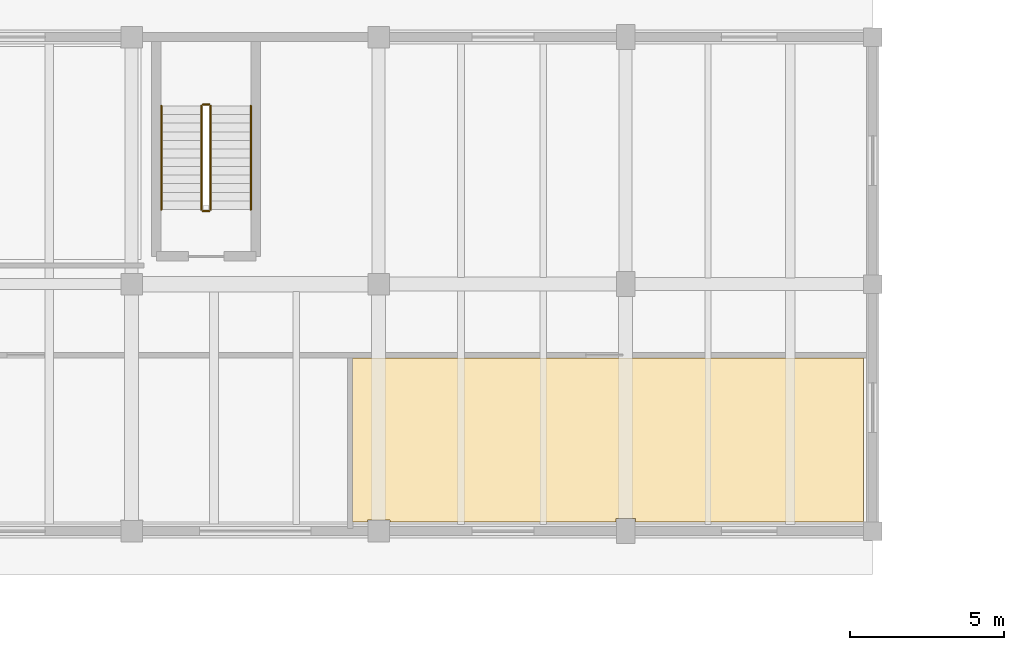
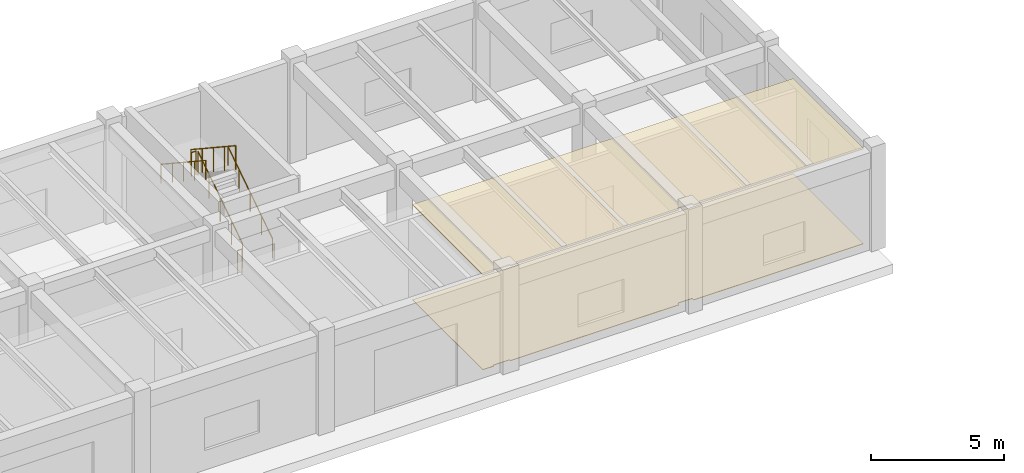
# One storey, part 63 of 64: 6 railings, 2 coverings.
"""IFC4 building model written with IfcOpenShell, lengths in metres."""

from ifc_helpers import new_model, si_unit, direction, frame, origin, origin_2d, place, context, subcontext, project, spatial, polyline, circle, outline, extrude, material, layer, layer_set, type_object, element, save


model = new_model("IFC4")

# Units and contexts
model_context = context("Model", 3, precision=1e-05, world=origin(), true_north=direction((0.0, 1.0)))
body_context = subcontext(model_context, "Body", "Model", "MODEL_VIEW")
ifc_project = project(units=[si_unit("LENGTHUNIT", "METRE"), si_unit("AREAUNIT", "SQUARE_METRE"), si_unit("VOLUMEUNIT", "CUBIC_METRE"), si_unit("PLANEANGLEUNIT", "RADIAN"), si_unit("MASSUNIT", "GRAM", prefix="KILO")], contexts=[model_context])

# Site, building, storey
site_placement = place(None, origin())
site = spatial("IfcSite", under=ifc_project, at=site_placement, CompositionType="ELEMENT")
building_placement = place(site_placement, origin())
building = spatial("IfcBuilding", under=site, at=building_placement, Name="Tlaxcora Railside Police Headquarters", CompositionType="ELEMENT")
storey_placement = place(building_placement, origin())
storey = spatial("IfcBuildingStorey", under=building, at=storey_placement, Name="L00", CompositionType="ELEMENT", Elevation=0.0)

# Coverings
ifc_material_1 = material(Name="Heavy-duty resin and raised-access technical flooring")
ifc_layer_1 = layer(ifc_material_1, 0.02490234375, Name="Heavy-duty resin and raised-access technical flooring")
ifc_layer_set_1 = layer_set([ifc_layer_1], Name="Heavy-duty resin and raised-access technical flooring")
covering_type_1 = type_object("IfcCoveringType", Name="Epoxy Chemical-Resistant Lab Flooring FLR-02", PredefinedType="FLOORING", material=ifc_layer_set_1)
covering_1_placement = place(storey_placement, origin())
element("IfcCovering", 1, at=covering_1_placement, inside=storey, type_object=covering_type_1, Name="Latent Fingerprint and Imaging Laboratory technical floor finish", PredefinedType="FLOORING", context=body_context, shape_type="SweptSolid", body=[
    extrude(outline(polyline([(158.5, 82.39990234375), (141.9599609375, 82.39990234375), (141.9599609375, 77.10009765625), (142.43994140625, 77.10009765625), (142.43994140625, 77.159912109375), (143.159912109375, 77.159912109375), (143.159912109375, 77.10009765625), (150.489990234375, 77.10009765625), (150.489990234375, 77.2099609375), (151.110107421875, 77.2099609375), (151.110107421875, 77.10009765625), (158.489990234375, 77.10009765625), (158.489990234375, 77.110107421875), (158.5, 77.110107421875), (158.5, 82.39990234375)])), origin(), (0.0, 0.0, 1.0), 0.02490234375),
])
ifc_material_2 = material(Name="Mineral-fibre acoustic ceiling tile")
ifc_layer_2 = layer(ifc_material_2, 0.044921875, Name="Mineral-fibre acoustic ceiling tile")
ifc_layer_set_2 = layer_set([ifc_layer_2], Name="Mineral-fibre acoustic ceiling tile")
covering_type_2 = type_object("IfcCoveringType", Name="Laboratory Hygienic Ceiling CLG-02", PredefinedType="CEILING", material=ifc_layer_set_2)
covering_2_placement = place(storey_placement, frame((0.0, 0.0, 4.35498046875)))
element("IfcCovering", 2, at=covering_2_placement, inside=storey, type_object=covering_type_2, Name="Latent Fingerprint and Imaging Laboratory suspended ceiling", PredefinedType="CEILING", context=body_context, shape_type="SweptSolid", body=[
    extrude(outline(polyline([(158.5, 82.39990234375), (141.9599609375, 82.39990234375), (141.9599609375, 77.10009765625), (142.43994140625, 77.10009765625), (142.43994140625, 77.159912109375), (143.159912109375, 77.159912109375), (143.159912109375, 77.10009765625), (150.489990234375, 77.10009765625), (150.489990234375, 77.2099609375), (151.110107421875, 77.2099609375), (151.110107421875, 77.10009765625), (158.489990234375, 77.10009765625), (158.489990234375, 77.110107421875), (158.5, 77.110107421875), (158.5, 82.39990234375)])), origin(), (0.0, 0.0, 1.0), 0.044921875),
])

# Railings
ifc_material_3 = material(Name="Steel ASTM A992 Grade 50", Category="steel")
railing_type_1 = type_object("IfcRailingType", Name="Stair Well Guard Balustrade GR-02", PredefinedType="BALUSTRADE", material=ifc_material_3)
railing_1_placement = place(storey_placement, frame((137.360107421875, 87.2099609375, 0.1845703125)))
element("IfcRailing", 3, at=railing_1_placement, inside=storey, type_object=railing_type_1, Name="L00 ST8 stair guard 1", PredefinedType="BALUSTRADE", context=body_context, shape_type="SweptSolid", body=[
    extrude(circle(Radius=0.02392578125, at=origin_2d()), frame((0.0, 0.0, 1.09619140625), z_axis=(0.0, 0.834876476806, 0.550437342915), x_axis=(-1.0, 0.0, 0.0)), (0.0, 0.0, 1.0), 4.024658203125),
    extrude(circle(Radius=0.02099609375, at=origin_2d()), origin(), (0.0, 0.0, 1.0), 1.072021484375),
    extrude(circle(Radius=0.02099609375, at=origin_2d()), frame((0.0, 0.840087890625, 0.5537109375)), (0.0, 0.0, 1.0), 1.072021484375),
    extrude(circle(Radius=0.02099609375, at=origin_2d()), frame((0.0, 1.68017578125, 1.107666015625)), (0.0, 0.0, 1.0), 1.072021484375),
    extrude(circle(Radius=0.02099609375, at=origin_2d()), frame((0.0, 2.52001953125, 1.66162109375)), (0.0, 0.0, 1.0), 1.072021484375),
    extrude(circle(Radius=0.02099609375, at=origin_2d()), frame((0.0, 3.360107421875, 2.21533203125)), (0.0, 0.0, 1.0), 1.072021484375),
])
railing_2_placement = place(storey_placement, frame((137.31005859375, 90.6201171875, 2.39990234375)))
element("IfcRailing", 4, at=railing_2_placement, inside=storey, type_object=railing_type_1, Name="L00 ST8 stair guard 2", PredefinedType="BALUSTRADE", context=body_context, shape_type="SweptSolid", body=[
    extrude(circle(Radius=0.02392578125, at=origin_2d()), frame((0.0, 0.0, 1.09619140625), z_axis=(-1.0, 0.0, 0.0), x_axis=(0.0, -1.0, 0.0)), (0.0, 0.0, 1.0), 0.199951171875),
    extrude(circle(Radius=0.02099609375, at=origin_2d()), origin(), (0.0, 0.0, 1.0), 1.072021484375),
    extrude(circle(Radius=0.02099609375, at=origin_2d()), frame((-0.199951171875, 0.0, 0.0)), (0.0, 0.0, 1.0), 1.072021484375),
])
railing_3_placement = place(storey_placement, frame((137.06005859375, 90.570068359375, 2.584716796875)))
element("IfcRailing", 5, at=railing_3_placement, inside=storey, type_object=railing_type_1, Name="L00 ST8 stair guard 3", PredefinedType="BALUSTRADE", context=body_context, shape_type="SweptSolid", body=[
    extrude(circle(Radius=0.02392578125, at=origin_2d()), frame((0.0, 0.0, 1.09619140625), z_axis=(0.0, -0.834876476806, 0.550437342915), x_axis=(1.0, 0.0, 0.0)), (0.0, 0.0, 1.0), 4.024658203125),
    extrude(circle(Radius=0.02099609375, at=origin_2d()), origin(), (0.0, 0.0, 1.0), 1.072021484375),
    extrude(circle(Radius=0.02099609375, at=origin_2d()), frame((0.0, -0.840087890625, 0.5537109375)), (0.0, 0.0, 1.0), 1.072021484375),
    extrude(circle(Radius=0.02099609375, at=origin_2d()), frame((0.0, -1.68017578125, 1.107666015625)), (0.0, 0.0, 1.0), 1.072021484375),
    extrude(circle(Radius=0.02099609375, at=origin_2d()), frame((0.0, -2.52001953125, 1.66162109375)), (0.0, 0.0, 1.0), 1.072021484375),
    extrude(circle(Radius=0.02099609375, at=origin_2d()), frame((0.0, -3.360107421875, 2.21533203125)), (0.0, 0.0, 1.0), 1.072021484375),
])
railing_4_placement = place(storey_placement, frame((137.31005859375, 87.159912109375, 0.0)))
element("IfcRailing", 6, at=railing_4_placement, inside=storey, type_object=railing_type_1, Name="L00 ST8 stair guard 4", PredefinedType="BALUSTRADE", context=body_context, shape_type="SweptSolid", body=[
    extrude(circle(Radius=0.02392578125, at=origin_2d()), frame((0.0, 0.0, 1.09619140625), z_axis=(-1.0, 0.0, 0.0), x_axis=(0.0, -1.0, 0.0)), (0.0, 0.0, 1.0), 0.199951171875),
    extrude(circle(Radius=0.02099609375, at=origin_2d()), origin(), (0.0, 0.0, 1.0), 1.072021484375),
    extrude(circle(Radius=0.02099609375, at=origin_2d()), frame((-0.199951171875, 0.0, 0.0)), (0.0, 0.0, 1.0), 1.072021484375),
])
railing_type_2 = type_object("IfcRailingType", Name="Stair and Ramp Handrail HR-01", PredefinedType="HANDRAIL", material=ifc_material_3)
railing_5_placement = place(storey_placement, frame((138.659912109375, 87.2099609375, 0.1845703125)))
element("IfcRailing", 7, at=railing_5_placement, inside=storey, type_object=railing_type_2, Name="L00 ST8 stair handrail 1", PredefinedType="HANDRAIL", context=body_context, shape_type="SweptSolid", body=[
    extrude(circle(Radius=0.02392578125, at=origin_2d()), frame((0.0, 0.0, 0.8759765625), z_axis=(0.0, 0.834876476806, 0.550437342915), x_axis=(-1.0, 0.0, 0.0)), (0.0, 0.0, 1.0), 4.024658203125),
    extrude(circle(Radius=0.02099609375, at=origin_2d()), origin(), (0.0, 0.0, 1.0), 0.851806640625),
    extrude(circle(Radius=0.02099609375, at=origin_2d()), frame((0.0, 0.840087890625, 0.5537109375)), (0.0, 0.0, 1.0), 0.851806640625),
    extrude(circle(Radius=0.02099609375, at=origin_2d()), frame((0.0, 1.68017578125, 1.107666015625)), (0.0, 0.0, 1.0), 0.851806640625),
    extrude(circle(Radius=0.02099609375, at=origin_2d()), frame((0.0, 2.52001953125, 1.66162109375)), (0.0, 0.0, 1.0), 0.851806640625),
    extrude(circle(Radius=0.02099609375, at=origin_2d()), frame((0.0, 3.360107421875, 2.21533203125)), (0.0, 0.0, 1.0), 0.851806640625),
])
railing_6_placement = place(storey_placement, frame((135.760009765625, 90.570068359375, 2.584716796875)))
element("IfcRailing", 8, at=railing_6_placement, inside=storey, type_object=railing_type_2, Name="L00 ST8 stair handrail 2", PredefinedType="HANDRAIL", context=body_context, shape_type="SweptSolid", body=[
    extrude(circle(Radius=0.02392578125, at=origin_2d()), frame((0.0, 0.0, 0.8759765625), z_axis=(0.0, -0.834876476806, 0.550437342915), x_axis=(1.0, 0.0, 0.0)), (0.0, 0.0, 1.0), 4.024658203125),
    extrude(circle(Radius=0.02099609375, at=origin_2d()), origin(), (0.0, 0.0, 1.0), 0.851806640625),
    extrude(circle(Radius=0.02099609375, at=origin_2d()), frame((0.0, -0.840087890625, 0.5537109375)), (0.0, 0.0, 1.0), 0.851806640625),
    extrude(circle(Radius=0.02099609375, at=origin_2d()), frame((0.0, -1.68017578125, 1.107666015625)), (0.0, 0.0, 1.0), 0.851806640625),
    extrude(circle(Radius=0.02099609375, at=origin_2d()), frame((0.0, -2.52001953125, 1.66162109375)), (0.0, 0.0, 1.0), 0.851806640625),
    extrude(circle(Radius=0.02099609375, at=origin_2d()), frame((0.0, -3.360107421875, 2.21533203125)), (0.0, 0.0, 1.0), 0.851806640625),
])

save(model, "model.ifc")
